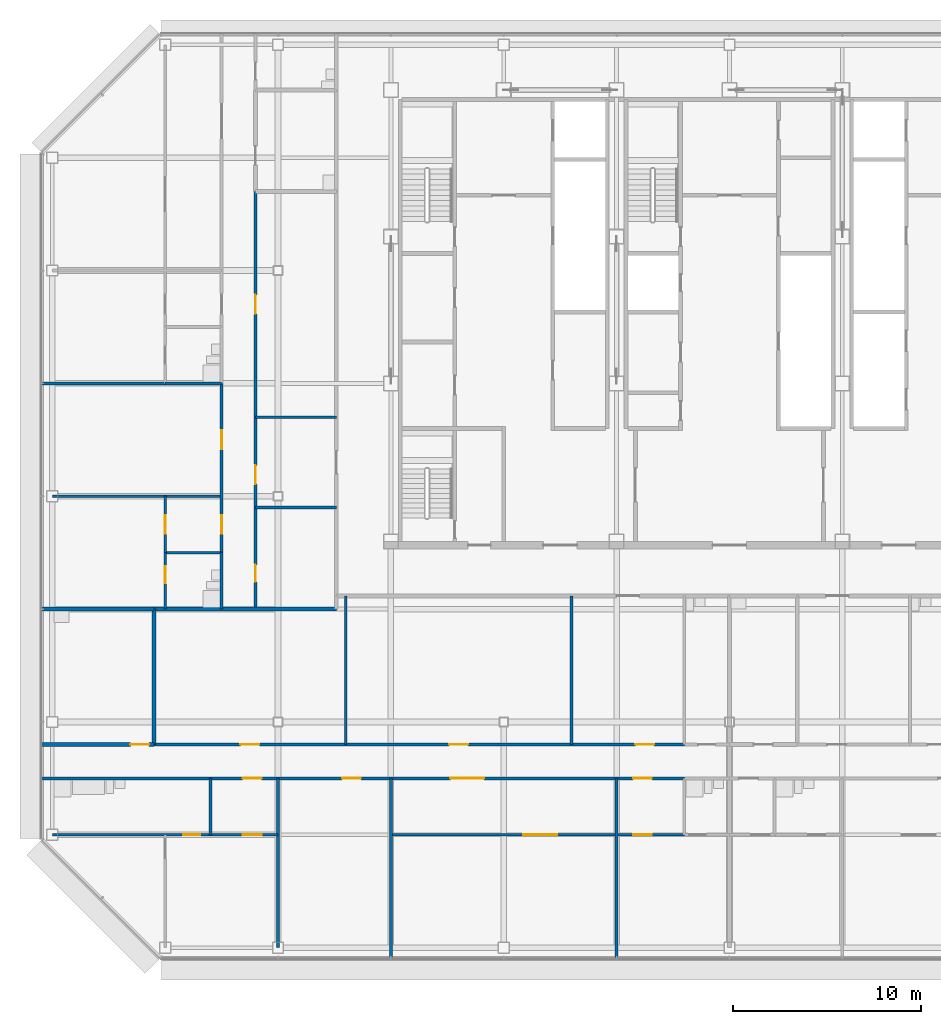
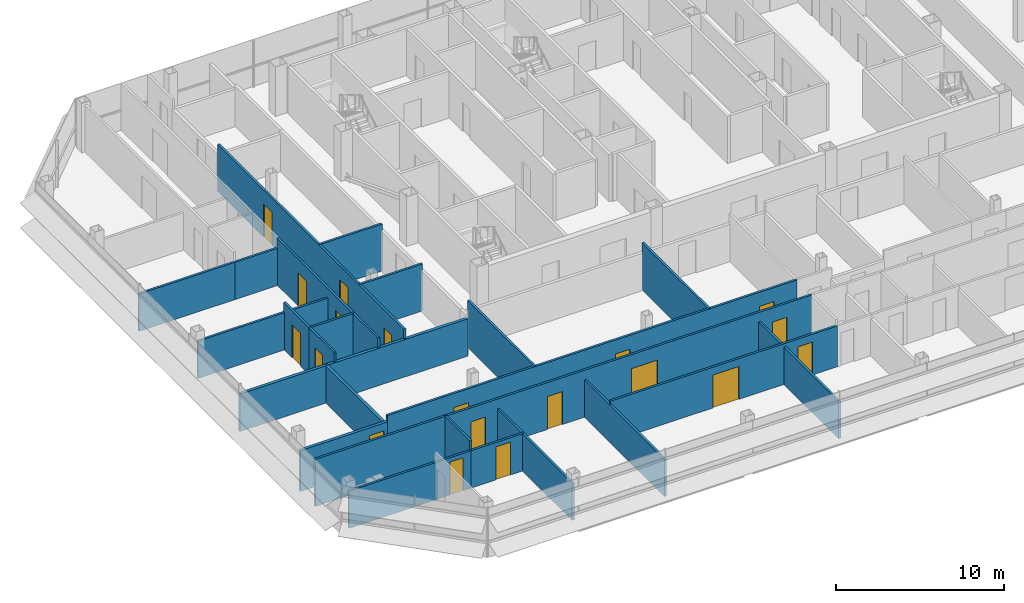
# One storey, part 21 of 28: 27 walls, 19 doors, 19 openings.
"""IFC4 building model written with IfcOpenShell, lengths in metres."""

from ifc_helpers import new_model, si_unit, direction, frame, frame_2d, origin, place, context, subcontext, project, spatial, rectangle, extrude, material, layer, layer_set, type_object, element, fill, save


model = new_model("IFC4")

# Units and contexts
model_context = context("Model", 3, precision=1e-05, world=origin(), true_north=direction((0.0, 1.0)))
body_context = subcontext(model_context, "Body", "Model", "MODEL_VIEW")
ifc_project = project(units=[si_unit("LENGTHUNIT", "METRE"), si_unit("AREAUNIT", "SQUARE_METRE"), si_unit("VOLUMEUNIT", "CUBIC_METRE"), si_unit("PLANEANGLEUNIT", "RADIAN"), si_unit("MASSUNIT", "GRAM", prefix="KILO")], contexts=[model_context])

# Site, building, storey
site_placement = place(None, origin())
site = spatial("IfcSite", under=ifc_project, at=site_placement, CompositionType="ELEMENT")
building_placement = place(site_placement, origin())
building = spatial("IfcBuilding", under=site, at=building_placement, Name="Sorahane Residences", CompositionType="ELEMENT")
storey_placement = place(building_placement, frame((0.0, 0.0, 273.800048828125)))
storey = spatial("IfcBuildingStorey", under=building, at=storey_placement, Name="L65", CompositionType="ELEMENT", Elevation=273.800048828125)

# Wall
ifc_material_1 = material(Name="Concrete blockwork C20 wall", Category="masonry")
ifc_layer_1 = layer(ifc_material_1, 0.199951171875)
ifc_layer_set_1 = layer_set([ifc_layer_1], Name="Kitchen wall 200 EI 180")
wall_type_1 = type_object("IfcWallType", Name="Kitchen wall 200 EI 180", PredefinedType="SOLIDWALL", material=ifc_layer_set_1)
wall_1_placement = place(storey_placement, frame((-6.60009765625, 10.800048828125, 0.0), z_axis=(0.0, 0.0, 1.0), x_axis=(0.0, 1.0, 0.0)))
element("IfcWall", 1, at=wall_1_placement, inside=storey, type_object=wall_type_1, Name="L65 kitchen wall", PredefinedType="SOLIDWALL", context=body_context, shape_type="SweptSolid", body=[
    extrude(rectangle(XDim=7.199951171875, YDim=0.199951171875, at=frame_2d((3.60009765625, 0.0))), origin(), (0.0, 0.0, 1.0), 2.719970703125),
])

# Wall, opening, door
wall_2_placement = place(storey_placement, frame((-12.60009765625, 10.800048828125, 0.0), z_axis=(0.0, 0.0, 1.0), x_axis=(1.0, 0.0, 0.0)))
wall_2 = element("IfcWall", 2, at=wall_2_placement, inside=storey, type_object=wall_type_1, Name="L65 kitchen wall", PredefinedType="SOLIDWALL", context=body_context, shape_type="SweptSolid", body=[
    extrude(rectangle(XDim=6.0, YDim=0.199951171875, at=frame_2d((3.0, 0.0))), origin(), (0.0, 0.0, 1.0), 2.969970703125),
])
opening_1_placement = place(wall_2_placement, frame((4.75, 0.0, 0.0)))
opening_1 = element("IfcOpeningElement", 3, at=opening_1_placement, cuts=wall_2, Name="Opening L65-02", PredefinedType="OPENING", context=body_context, shape_type="SweptSolid", body=[
    extrude(rectangle(XDim=1.0, YDim=2.39990234375, at=frame_2d((0.5, 1.199951171875))), frame((0.0, 0.10986328125, 0.0), z_axis=(0.0, -1.0, 0.0), x_axis=(1.0, 0.0, 0.0)), (0.0, 0.0, 1.0), 0.219970703125),
])
ifc_material_2 = material(Name="Steel", Category="steel")
door_type_1 = type_object("IfcDoorType", Name="Kitchen door 1000x2400 FD120", OperationType="NOTDEFINED", PredefinedType="DOOR", material=ifc_material_2)
door_1_placement = place(opening_1_placement, origin())
door_1 = element("IfcDoor", 4, at=door_1_placement, inside=storey, type_object=door_type_1, Name="Kitchen door L65-02", OperationType="SINGLE_SWING_RIGHT", OverallHeight=2.39990234375, OverallWidth=1.0, PredefinedType="DOOR", context=body_context, shape_type="SweptSolid", body=[
    extrude(rectangle(XDim=1.0, YDim=2.39990234375, at=frame_2d((0.5, 1.199951171875))), frame((0.0, 0.02490234375, 0.0), z_axis=(0.0, -1.0, 0.0), x_axis=(1.0, 0.0, 0.0)), (0.0, 0.0, 1.0), 0.050048828125),
])
fill(opening_1, door_1)

# Wall
wall_3_placement = place(storey_placement, frame((-12.60009765625, 18.0, 0.0), z_axis=(0.0, 0.0, 1.0), x_axis=(1.0, 0.0, 0.0)))
element("IfcWall", 5, at=wall_3_placement, inside=storey, type_object=wall_type_1, Name="L65 kitchen wall", PredefinedType="SOLIDWALL", context=body_context, shape_type="SweptSolid", body=[
    extrude(rectangle(XDim=6.0, YDim=0.199951171875, at=frame_2d((3.0, 0.0))), origin(), (0.0, 0.0, 1.0), 2.719970703125),
])

# Wall, openings, doors
ifc_material_3 = material(Name="Gypsum board partition on steel studs", Category="steel")
ifc_layer_2 = layer(ifc_material_3, 0.14990234375)
ifc_layer_set_2 = layer_set([ifc_layer_2], Name="Partition 150 EI 90")
wall_type_2 = type_object("IfcWallType", Name="Partition 150 EI 90", PredefinedType="PARTITIONING", material=ifc_layer_set_2)
wall_4_placement = place(storey_placement, frame((-1.199951171875, 18.0, 0.0), z_axis=(0.0, 0.0, 1.0), x_axis=(0.0, 1.0, 0.0)))
wall_4 = element("IfcWall", 6, at=wall_4_placement, inside=storey, type_object=wall_type_2, Name="L65 partition", PredefinedType="PARTITIONING", context=body_context, shape_type="SweptSolid", body=[
    extrude(rectangle(XDim=22.199951171875, YDim=0.14990234375, at=frame_2d((11.10009765625, 0.0))), origin(), (0.0, 0.0, 1.0), 3.419921875),
])
opening_2_placement = place(wall_4_placement, frame((6.639892578125, 0.0, 0.0)))
opening_2 = element("IfcOpeningElement", 7, at=opening_2_placement, cuts=wall_4, Name="Opening L65-30", PredefinedType="OPENING", context=body_context, shape_type="SweptSolid", body=[
    extrude(rectangle(XDim=1.0, YDim=2.39990234375, at=frame_2d((0.5, 1.199951171875))), frame((0.0, 0.0849609375, 0.0), z_axis=(0.0, -1.0, 0.0), x_axis=(1.0, 0.0, 0.0)), (0.0, 0.0, 1.0), 0.169921875),
])
opening_3_placement = place(wall_4_placement, frame((1.449951171875, 0.0, 0.0)))
opening_3 = element("IfcOpeningElement", 8, at=opening_3_placement, cuts=wall_4, Name="Opening L65-31", PredefinedType="OPENING", context=body_context, shape_type="SweptSolid", body=[
    extrude(rectangle(XDim=0.89990234375, YDim=2.10009765625, at=frame_2d((0.449951171875, 1.050048828125))), frame((0.0, 0.0849609375, 0.0), z_axis=(0.0, -1.0, 0.0), x_axis=(1.0, 0.0, 0.0)), (0.0, 0.0, 1.0), 0.169921875),
])
opening_4_placement = place(wall_4_placement, frame((15.699951171875, 0.0, 0.0)))
opening_4 = element("IfcOpeningElement", 9, at=opening_4_placement, cuts=wall_4, Name="Opening L65-32", PredefinedType="OPENING", context=body_context, shape_type="SweptSolid", body=[
    extrude(rectangle(XDim=1.0, YDim=2.39990234375, at=frame_2d((0.5, 1.199951171875))), frame((0.0, 0.0849609375, 0.0), z_axis=(0.0, -1.0, 0.0), x_axis=(1.0, 0.0, 0.0)), (0.0, 0.0, 1.0), 0.169921875),
])
ifc_material_4 = material(Name="Timber veneered fire door", Category="wood")
door_type_2 = type_object("IfcDoorType", Name="Room door 1000x2400 FD30", OperationType="NOTDEFINED", PredefinedType="DOOR", material=ifc_material_4)
door_2_placement = place(opening_2_placement, origin())
door_2 = element("IfcDoor", 10, at=door_2_placement, inside=storey, type_object=door_type_2, Name="Room door L65-30", OperationType="SINGLE_SWING_RIGHT", OverallHeight=2.39990234375, OverallWidth=1.0, PredefinedType="DOOR", context=body_context, shape_type="SweptSolid", body=[
    extrude(rectangle(XDim=1.0, YDim=2.39990234375, at=frame_2d((0.5, 1.199951171875))), frame((0.0, 0.02490234375, 0.0), z_axis=(0.0, -1.0, 0.0), x_axis=(1.0, 0.0, 0.0)), (0.0, 0.0, 1.0), 0.050048828125),
])
fill(opening_2, door_2)
door_3_placement = place(opening_4_placement, frame((1.0, 0.0, 0.0), z_axis=(0.0, 0.0, 1.0), x_axis=(-1.0, 0.0, 0.0)))
door_3 = element("IfcDoor", 11, at=door_3_placement, inside=storey, type_object=door_type_2, Name="Room door L65-32", OperationType="SINGLE_SWING_RIGHT", OverallHeight=2.39990234375, OverallWidth=1.0, PredefinedType="DOOR", context=body_context, shape_type="SweptSolid", body=[
    extrude(rectangle(XDim=1.0, YDim=2.39990234375, at=frame_2d((0.5, 1.199951171875))), frame((0.0, 0.02490234375, 0.0), z_axis=(0.0, -1.0, 0.0), x_axis=(1.0, 0.0, 0.0)), (0.0, 0.0, 1.0), 0.050048828125),
])
fill(opening_4, door_3)
ifc_material_5 = material(Name="Timber veneered fire door", Category="wood")
door_type_3 = type_object("IfcDoorType", Name="Service door 900x2100 FD30", OperationType="NOTDEFINED", PredefinedType="DOOR", material=ifc_material_5)
door_4_placement = place(opening_3_placement, frame((0.89990234375, 0.0, 0.0), z_axis=(0.0, 0.0, 1.0), x_axis=(-1.0, 0.0, 0.0)))
door_4 = element("IfcDoor", 12, at=door_4_placement, inside=storey, type_object=door_type_3, Name="Service door L65-31", OperationType="SINGLE_SWING_RIGHT", OverallHeight=2.10009765625, OverallWidth=0.89990234375, PredefinedType="DOOR", context=body_context, shape_type="SweptSolid", body=[
    extrude(rectangle(XDim=0.89990234375, YDim=2.10009765625, at=frame_2d((0.449951171875, 1.050048828125))), frame((0.0, 0.02490234375, 0.0), z_axis=(0.0, -1.0, 0.0), x_axis=(1.0, 0.0, 0.0)), (0.0, 0.0, 1.0), 0.050048828125),
])
fill(opening_3, door_4)

wall_5_placement = place(storey_placement, frame((-3.0, 21.0, 0.0), z_axis=(0.0, 0.0, 1.0), x_axis=(0.0, 1.0, 0.0)))
wall_5 = element("IfcWall", 13, at=wall_5_placement, inside=storey, type_object=wall_type_2, Name="L65 partition", PredefinedType="PARTITIONING", context=body_context, shape_type="SweptSolid", body=[
    extrude(rectangle(XDim=9.0, YDim=0.14990234375, at=frame_2d((4.5, 0.0))), origin(), (0.0, 0.0, 1.0), 3.419921875),
])
opening_5_placement = place(wall_5_placement, frame((1.0, 0.0, 0.0)))
opening_5 = element("IfcOpeningElement", 14, at=opening_5_placement, cuts=wall_5, Name="Opening L65-35", PredefinedType="OPENING", context=body_context, shape_type="SweptSolid", body=[
    extrude(rectangle(XDim=1.0, YDim=2.39990234375, at=frame_2d((0.5, 1.199951171875))), frame((0.0, 0.0849609375, 0.0), z_axis=(0.0, -1.0, 0.0), x_axis=(1.0, 0.0, 0.0)), (0.0, 0.0, 1.0), 0.169921875),
])
opening_6_placement = place(wall_5_placement, frame((5.5, 0.0, 0.0)))
opening_6 = element("IfcOpeningElement", 15, at=opening_6_placement, cuts=wall_5, Name="Opening L65-36", PredefinedType="OPENING", context=body_context, shape_type="SweptSolid", body=[
    extrude(rectangle(XDim=1.0, YDim=2.39990234375, at=frame_2d((0.5, 1.199951171875))), frame((0.0, 0.0849609375, 0.0), z_axis=(0.0, -1.0, 0.0), x_axis=(1.0, 0.0, 0.0)), (0.0, 0.0, 1.0), 0.169921875),
])
door_5_placement = place(opening_5_placement, origin())
door_5 = element("IfcDoor", 16, at=door_5_placement, inside=storey, type_object=door_type_2, Name="Room door L65-35", OperationType="SINGLE_SWING_LEFT", OverallHeight=2.39990234375, OverallWidth=1.0, PredefinedType="DOOR", context=body_context, shape_type="SweptSolid", body=[
    extrude(rectangle(XDim=1.0, YDim=2.39990234375, at=frame_2d((0.5, 1.199951171875))), frame((0.0, 0.02490234375, 0.0), z_axis=(0.0, -1.0, 0.0), x_axis=(1.0, 0.0, 0.0)), (0.0, 0.0, 1.0), 0.050048828125),
])
fill(opening_5, door_5)
door_6_placement = place(opening_6_placement, origin())
door_6 = element("IfcDoor", 17, at=door_6_placement, inside=storey, type_object=door_type_2, Name="Room door L65-36", OperationType="SINGLE_SWING_LEFT", OverallHeight=2.39990234375, OverallWidth=1.0, PredefinedType="DOOR", context=body_context, shape_type="SweptSolid", body=[
    extrude(rectangle(XDim=1.0, YDim=2.39990234375, at=frame_2d((0.5, 1.199951171875))), frame((0.0, 0.02490234375, 0.0), z_axis=(0.0, -1.0, 0.0), x_axis=(1.0, 0.0, 0.0)), (0.0, 0.0, 1.0), 0.050048828125),
])
fill(opening_6, door_6)

# Wall, opening, door
wall_6_placement = place(storey_placement, frame((-6.0, 21.0, 0.0), z_axis=(0.0, 0.0, 1.0), x_axis=(0.0, 1.0, 0.0)))
wall_6 = element("IfcWall", 18, at=wall_6_placement, inside=storey, type_object=wall_type_2, Name="L65 partition", PredefinedType="PARTITIONING", context=body_context, shape_type="SweptSolid", body=[
    extrude(rectangle(XDim=3.0, YDim=0.14990234375, at=frame_2d((1.5, 0.0))), origin(), (0.0, 0.0, 1.0), 3.419921875),
])
opening_7_placement = place(wall_6_placement, frame((1.0, 0.0, 0.0)))
opening_7 = element("IfcOpeningElement", 19, at=opening_7_placement, cuts=wall_6, Name="Opening L65-39", PredefinedType="OPENING", context=body_context, shape_type="SweptSolid", body=[
    extrude(rectangle(XDim=1.0, YDim=2.39990234375, at=frame_2d((0.5, 1.199951171875))), frame((0.0, 0.0849609375, 0.0), z_axis=(0.0, -1.0, 0.0), x_axis=(1.0, 0.0, 0.0)), (0.0, 0.0, 1.0), 0.169921875),
])
door_7_placement = place(opening_7_placement, origin())
door_7 = element("IfcDoor", 20, at=door_7_placement, inside=storey, type_object=door_type_2, Name="Room door L65-39", OperationType="SINGLE_SWING_LEFT", OverallHeight=2.39990234375, OverallWidth=1.0, PredefinedType="DOOR", context=body_context, shape_type="SweptSolid", body=[
    extrude(rectangle(XDim=1.0, YDim=2.39990234375, at=frame_2d((0.5, 1.199951171875))), frame((0.0, 0.02490234375, 0.0), z_axis=(0.0, -1.0, 0.0), x_axis=(1.0, 0.0, 0.0)), (0.0, 0.0, 1.0), 0.050048828125),
])
fill(opening_7, door_7)

# Walls
wall_7_placement = place(storey_placement, frame((0.0, 0.0, 0.0), z_axis=(0.0, 0.0, 1.0), x_axis=(0.0, 1.0, 0.0)))
element("IfcWall", 21, at=wall_7_placement, inside=storey, type_object=wall_type_2, Name="L65 partition", PredefinedType="PARTITIONING", context=body_context, shape_type="SweptSolid", body=[
    extrude(rectangle(XDim=9.0, YDim=0.14990234375, at=frame_2d((4.5, 0.0))), origin(), (0.0, 0.0, 1.0), 2.719970703125),
])
wall_8_placement = place(storey_placement, frame((15.60009765625, 10.800048828125, 0.0), z_axis=(0.0, 0.0, 1.0), x_axis=(0.0, 1.0, 0.0)))
element("IfcWall", 22, at=wall_8_placement, inside=storey, type_object=wall_type_2, Name="L65 partition", PredefinedType="PARTITIONING", context=body_context, shape_type="SweptSolid", body=[
    extrude(rectangle(XDim=7.89990234375, YDim=0.14990234375, at=frame_2d((3.949951171875, 0.0))), origin(), (0.0, 0.0, 1.0), 3.419921875),
])
wall_9_placement = place(storey_placement, frame((18.0, -0.60009765625, 0.0), z_axis=(0.0, 0.0, 1.0), x_axis=(0.0, 1.0, 0.0)))
element("IfcWall", 23, at=wall_9_placement, inside=storey, type_object=wall_type_2, Name="L65 partition", PredefinedType="PARTITIONING", context=body_context, shape_type="SweptSolid", body=[
    extrude(rectangle(XDim=9.60009765625, YDim=0.14990234375, at=frame_2d((4.800048828125, 0.0))), origin(), (0.0, 0.0, 1.0), 2.719970703125),
])
wall_10_placement = place(storey_placement, frame((3.60009765625, 10.800048828125, 0.0), z_axis=(0.0, 0.0, 1.0), x_axis=(0.0, 1.0, 0.0)))
element("IfcWall", 24, at=wall_10_placement, inside=storey, type_object=wall_type_2, Name="L65 partition", PredefinedType="PARTITIONING", context=body_context, shape_type="SweptSolid", body=[
    extrude(rectangle(XDim=7.89990234375, YDim=0.14990234375, at=frame_2d((3.949951171875, 0.0))), origin(), (0.0, 0.0, 1.0), 3.419921875),
])
wall_11_placement = place(storey_placement, frame((6.0, -0.60009765625, 0.0), z_axis=(0.0, 0.0, 1.0), x_axis=(0.0, 1.0, 0.0)))
element("IfcWall", 25, at=wall_11_placement, inside=storey, type_object=wall_type_2, Name="L65 partition", PredefinedType="PARTITIONING", context=body_context, shape_type="SweptSolid", body=[
    extrude(rectangle(XDim=9.60009765625, YDim=0.14990234375, at=frame_2d((4.800048828125, 0.0))), origin(), (0.0, 0.0, 1.0), 2.719970703125),
])

# Wall, openings, doors
wall_12_placement = place(storey_placement, frame((-6.60009765625, 10.800048828125, 0.0), z_axis=(0.0, 0.0, 1.0), x_axis=(1.0, 0.0, 0.0)))
wall_12 = element("IfcWall", 26, at=wall_12_placement, inside=storey, type_object=wall_type_2, Name="L65 partition", PredefinedType="PARTITIONING", context=body_context, shape_type="SweptSolid", body=[
    extrude(rectangle(XDim=28.2001953125, YDim=0.14990234375, at=frame_2d((14.10009765625, 0.0))), origin(), (0.0, 0.0, 1.0), 3.419921875),
])
opening_8_placement = place(wall_12_placement, frame((25.60009765625, 0.0, 0.0)))
opening_8 = element("IfcOpeningElement", 27, at=opening_8_placement, cuts=wall_12, Name="Opening L65-01", PredefinedType="OPENING", context=body_context, shape_type="SweptSolid", body=[
    extrude(rectangle(XDim=1.0, YDim=2.39990234375, at=frame_2d((0.5, 1.199951171875))), frame((0.0, 0.0849609375, 0.0), z_axis=(0.0, -1.0, 0.0), x_axis=(1.0, 0.0, 0.0)), (0.0, 0.0, 1.0), 0.169921875),
])
opening_9_placement = place(wall_12_placement, frame((4.60009765625, 0.0, 0.0)))
opening_9 = element("IfcOpeningElement", 28, at=opening_9_placement, cuts=wall_12, Name="Opening L65-03", PredefinedType="OPENING", context=body_context, shape_type="SweptSolid", body=[
    extrude(rectangle(XDim=1.0, YDim=2.39990234375, at=frame_2d((0.5, 1.199951171875))), frame((0.0, 0.0849609375, 0.0), z_axis=(0.0, -1.0, 0.0), x_axis=(1.0, 0.0, 0.0)), (0.0, 0.0, 1.0), 0.169921875),
])
opening_10_placement = place(wall_12_placement, frame((15.699951171875, 0.0, 0.0)))
opening_10 = element("IfcOpeningElement", 29, at=opening_10_placement, cuts=wall_12, Name="Opening L65-04", PredefinedType="OPENING", context=body_context, shape_type="SweptSolid", body=[
    extrude(rectangle(XDim=1.0, YDim=2.39990234375, at=frame_2d((0.5, 1.199951171875))), frame((0.0, 0.0849609375, 0.0), z_axis=(0.0, -1.0, 0.0), x_axis=(1.0, 0.0, 0.0)), (0.0, 0.0, 1.0), 0.169921875),
])
door_8_placement = place(opening_8_placement, frame((1.0, 0.0, 0.0), z_axis=(0.0, 0.0, 1.0), x_axis=(-1.0, 0.0, 0.0)))
door_8 = element("IfcDoor", 30, at=door_8_placement, inside=storey, type_object=door_type_2, Name="Room door L65-01", OperationType="SINGLE_SWING_LEFT", OverallHeight=2.39990234375, OverallWidth=1.0, PredefinedType="DOOR", context=body_context, shape_type="SweptSolid", body=[
    extrude(rectangle(XDim=1.0, YDim=2.39990234375, at=frame_2d((0.5, 1.199951171875))), frame((0.0, 0.02490234375, 0.0), z_axis=(0.0, -1.0, 0.0), x_axis=(1.0, 0.0, 0.0)), (0.0, 0.0, 1.0), 0.050048828125),
])
fill(opening_8, door_8)
door_9_placement = place(opening_9_placement, origin())
door_9 = element("IfcDoor", 31, at=door_9_placement, inside=storey, type_object=door_type_2, Name="Room door L65-03", OperationType="SINGLE_SWING_LEFT", OverallHeight=2.39990234375, OverallWidth=1.0, PredefinedType="DOOR", context=body_context, shape_type="SweptSolid", body=[
    extrude(rectangle(XDim=1.0, YDim=2.39990234375, at=frame_2d((0.5, 1.199951171875))), frame((0.0, 0.02490234375, 0.0), z_axis=(0.0, -1.0, 0.0), x_axis=(1.0, 0.0, 0.0)), (0.0, 0.0, 1.0), 0.050048828125),
])
fill(opening_9, door_9)
door_10_placement = place(opening_10_placement, origin())
door_10 = element("IfcDoor", 32, at=door_10_placement, inside=storey, type_object=door_type_2, Name="Room door L65-04", OperationType="SINGLE_SWING_RIGHT", OverallHeight=2.39990234375, OverallWidth=1.0, PredefinedType="DOOR", context=body_context, shape_type="SweptSolid", body=[
    extrude(rectangle(XDim=1.0, YDim=2.39990234375, at=frame_2d((0.5, 1.199951171875))), frame((0.0, 0.02490234375, 0.0), z_axis=(0.0, -1.0, 0.0), x_axis=(1.0, 0.0, 0.0)), (0.0, 0.0, 1.0), 0.050048828125),
])
fill(opening_10, door_10)

# Walls
wall_13_placement = place(storey_placement, frame((-1.199951171875, 23.39990234375, 0.0), z_axis=(0.0, 0.0, 1.0), x_axis=(1.0, 0.0, 0.0)))
element("IfcWall", 33, at=wall_13_placement, inside=storey, type_object=wall_type_2, Name="L65 partition", PredefinedType="PARTITIONING", context=body_context, shape_type="SweptSolid", body=[
    extrude(rectangle(XDim=4.300048828125, YDim=0.14990234375, at=frame_2d((2.14990234375, 0.0))), origin(), (0.0, 0.0, 1.0), 3.419921875),
])
wall_14_placement = place(storey_placement, frame((-12.0, 24.0, 0.0), z_axis=(0.0, 0.0, 1.0), x_axis=(1.0, 0.0, 0.0)))
element("IfcWall", 34, at=wall_14_placement, inside=storey, type_object=wall_type_2, Name="L65 partition", PredefinedType="PARTITIONING", context=body_context, shape_type="SweptSolid", body=[
    extrude(rectangle(XDim=9.0, YDim=0.14990234375, at=frame_2d((4.5, 0.0))), origin(), (0.0, 0.0, 1.0), 2.719970703125),
])
wall_15_placement = place(storey_placement, frame((-1.199951171875, 28.199951171875, 0.0), z_axis=(0.0, 0.0, 1.0), x_axis=(1.0, 0.0, 0.0)))
element("IfcWall", 35, at=wall_15_placement, inside=storey, type_object=wall_type_2, Name="L65 partition", PredefinedType="PARTITIONING", context=body_context, shape_type="SweptSolid", body=[
    extrude(rectangle(XDim=4.300048828125, YDim=0.14990234375, at=frame_2d((2.14990234375, 0.0))), origin(), (0.0, 0.0, 1.0), 3.419921875),
])
wall_16_placement = place(storey_placement, frame((-12.60009765625, 30.0, 0.0), z_axis=(0.0, 0.0, 1.0), x_axis=(1.0, 0.0, 0.0)))
element("IfcWall", 36, at=wall_16_placement, inside=storey, type_object=wall_type_2, Name="L65 partition", PredefinedType="PARTITIONING", context=body_context, shape_type="SweptSolid", body=[
    extrude(rectangle(XDim=6.60009765625, YDim=0.14990234375, at=frame_2d((3.300048828125, 0.0))), origin(), (0.0, 0.0, 1.0), 2.719970703125),
])

# Wall, opening, door
wall_17_placement = place(storey_placement, frame((-3.60009765625, 6.0, 0.0), z_axis=(0.0, 0.0, 1.0), x_axis=(1.0, 0.0, 0.0)))
wall_17 = element("IfcWall", 37, at=wall_17_placement, inside=storey, type_object=wall_type_2, Name="L65 partition", PredefinedType="PARTITIONING", context=body_context, shape_type="SweptSolid", body=[
    extrude(rectangle(XDim=3.60009765625, YDim=0.14990234375, at=frame_2d((1.800048828125, 0.0))), origin(), (0.0, 0.0, 1.0), 2.719970703125),
])
opening_11_placement = place(wall_17_placement, frame((1.719970703125, 0.0, 0.0)))
opening_11 = element("IfcOpeningElement", 38, at=opening_11_placement, cuts=wall_17, Name="Opening L65-10", PredefinedType="OPENING", context=body_context, shape_type="SweptSolid", body=[
    extrude(rectangle(XDim=1.0, YDim=2.39990234375, at=frame_2d((0.5, 1.199951171875))), frame((0.0, 0.0849609375, 0.0), z_axis=(0.0, -1.0, 0.0), x_axis=(1.0, 0.0, 0.0)), (0.0, 0.0, 1.0), 0.169921875),
])
door_11_placement = place(opening_11_placement, frame((1.0, 0.0, 0.0), z_axis=(0.0, 0.0, 1.0), x_axis=(-1.0, 0.0, 0.0)))
door_11 = element("IfcDoor", 39, at=door_11_placement, inside=storey, type_object=door_type_2, Name="Room door L65-10", OperationType="SINGLE_SWING_RIGHT", OverallHeight=2.39990234375, OverallWidth=1.0, PredefinedType="DOOR", context=body_context, shape_type="SweptSolid", body=[
    extrude(rectangle(XDim=1.0, YDim=2.39990234375, at=frame_2d((0.5, 1.199951171875))), frame((0.0, 0.02490234375, 0.0), z_axis=(0.0, -1.0, 0.0), x_axis=(1.0, 0.0, 0.0)), (0.0, 0.0, 1.0), 0.050048828125),
])
fill(opening_11, door_11)

# Wall, openings, doors
wall_18_placement = place(storey_placement, frame((6.0, 6.0, 0.0), z_axis=(0.0, 0.0, 1.0), x_axis=(1.0, 0.0, 0.0)))
wall_18 = element("IfcWall", 40, at=wall_18_placement, inside=storey, type_object=wall_type_2, Name="L65 partition", PredefinedType="PARTITIONING", context=body_context, shape_type="SweptSolid", body=[
    extrude(rectangle(XDim=15.60009765625, YDim=0.14990234375, at=frame_2d((7.800048828125, 0.0))), origin(), (0.0, 0.0, 1.0), 2.969970703125),
])
opening_12_placement = place(wall_18_placement, frame((7.0400390625, 0.0, 0.0)))
opening_12 = element("IfcOpeningElement", 41, at=opening_12_placement, cuts=wall_18, Name="Opening L65-13", PredefinedType="OPENING", context=body_context, shape_type="SweptSolid", body=[
    extrude(rectangle(XDim=1.800048828125, YDim=2.39990234375, at=frame_2d((0.89990234375, 1.199951171875))), frame((0.0, 0.0849609375, 0.0), z_axis=(0.0, -1.0, 0.0), x_axis=(1.0, 0.0, 0.0)), (0.0, 0.0, 1.0), 0.169921875),
])
opening_13_placement = place(wall_18_placement, frame((12.8798828125, 0.0, 0.0)))
opening_13 = element("IfcOpeningElement", 42, at=opening_13_placement, cuts=wall_18, Name="Opening L65-14", PredefinedType="OPENING", context=body_context, shape_type="SweptSolid", body=[
    extrude(rectangle(XDim=1.0, YDim=2.39990234375, at=frame_2d((0.5, 1.199951171875))), frame((0.0, 0.0849609375, 0.0), z_axis=(0.0, -1.0, 0.0), x_axis=(1.0, 0.0, 0.0)), (0.0, 0.0, 1.0), 0.169921875),
])
ifc_material_6 = material(Name="Timber veneered fire door", Category="wood")
door_type_4 = type_object("IfcDoorType", Name="Double door 1800x2400 FD30", OperationType="NOTDEFINED", PredefinedType="DOOR", material=ifc_material_6)
door_12_placement = place(opening_12_placement, frame((1.800048828125, 0.0, 0.0), z_axis=(0.0, 0.0, 1.0), x_axis=(-1.0, 0.0, 0.0)))
door_12 = element("IfcDoor", 43, at=door_12_placement, inside=storey, type_object=door_type_4, Name="Double door L65-13", OperationType="SINGLE_SWING_RIGHT", OverallHeight=2.39990234375, OverallWidth=1.800048828125, PredefinedType="DOOR", context=body_context, shape_type="SweptSolid", body=[
    extrude(rectangle(XDim=1.800048828125, YDim=2.39990234375, at=frame_2d((0.89990234375, 1.199951171875))), frame((0.0, 0.02490234375, 0.0), z_axis=(0.0, -1.0, 0.0), x_axis=(1.0, 0.0, 0.0)), (0.0, 0.0, 1.0), 0.050048828125),
])
fill(opening_12, door_12)
door_13_placement = place(opening_13_placement, frame((1.0, 0.0, 0.0), z_axis=(0.0, 0.0, 1.0), x_axis=(-1.0, 0.0, 0.0)))
door_13 = element("IfcDoor", 44, at=door_13_placement, inside=storey, type_object=door_type_2, Name="Room door L65-14", OperationType="SINGLE_SWING_RIGHT", OverallHeight=2.39990234375, OverallWidth=1.0, PredefinedType="DOOR", context=body_context, shape_type="SweptSolid", body=[
    extrude(rectangle(XDim=1.0, YDim=2.39990234375, at=frame_2d((0.5, 1.199951171875))), frame((0.0, 0.02490234375, 0.0), z_axis=(0.0, -1.0, 0.0), x_axis=(1.0, 0.0, 0.0)), (0.0, 0.0, 1.0), 0.050048828125),
])
fill(opening_13, door_13)

wall_19_placement = place(storey_placement, frame((-3.60009765625, 9.0, 0.0), z_axis=(0.0, 0.0, 1.0), x_axis=(1.0, 0.0, 0.0)))
wall_19 = element("IfcWall", 45, at=wall_19_placement, inside=storey, type_object=wall_type_2, Name="L65 partition", PredefinedType="PARTITIONING", context=body_context, shape_type="SweptSolid", body=[
    extrude(rectangle(XDim=25.2001953125, YDim=0.14990234375, at=frame_2d((12.60009765625, 0.0))), origin(), (0.0, 0.0, 1.0), 3.419921875),
])
opening_14_placement = place(wall_19_placement, frame((1.719970703125, 0.0, 0.0)))
opening_14 = element("IfcOpeningElement", 46, at=opening_14_placement, cuts=wall_19, Name="Opening L65-06", PredefinedType="OPENING", context=body_context, shape_type="SweptSolid", body=[
    extrude(rectangle(XDim=1.0, YDim=2.39990234375, at=frame_2d((0.5, 1.199951171875))), frame((0.0, 0.0849609375, 0.0), z_axis=(0.0, -1.0, 0.0), x_axis=(1.0, 0.0, 0.0)), (0.0, 0.0, 1.0), 0.169921875),
])
opening_15_placement = place(wall_19_placement, frame((7.0, 0.0, 0.0)))
opening_15 = element("IfcOpeningElement", 47, at=opening_15_placement, cuts=wall_19, Name="Opening L65-07", PredefinedType="OPENING", context=body_context, shape_type="SweptSolid", body=[
    extrude(rectangle(XDim=1.0, YDim=2.39990234375, at=frame_2d((0.5, 1.199951171875))), frame((0.0, 0.0849609375, 0.0), z_axis=(0.0, -1.0, 0.0), x_axis=(1.0, 0.0, 0.0)), (0.0, 0.0, 1.0), 0.169921875),
])
opening_16_placement = place(wall_19_placement, frame((12.760009765625, 0.0, 0.0)))
opening_16 = element("IfcOpeningElement", 48, at=opening_16_placement, cuts=wall_19, Name="Opening L65-08", PredefinedType="OPENING", context=body_context, shape_type="SweptSolid", body=[
    extrude(rectangle(XDim=1.800048828125, YDim=2.39990234375, at=frame_2d((0.89990234375, 1.199951171875))), frame((0.0, 0.0849609375, 0.0), z_axis=(0.0, -1.0, 0.0), x_axis=(1.0, 0.0, 0.0)), (0.0, 0.0, 1.0), 0.169921875),
])
opening_17_placement = place(wall_19_placement, frame((22.47998046875, 0.0, 0.0)))
opening_17 = element("IfcOpeningElement", 49, at=opening_17_placement, cuts=wall_19, Name="Opening L65-09", PredefinedType="OPENING", context=body_context, shape_type="SweptSolid", body=[
    extrude(rectangle(XDim=1.0, YDim=2.39990234375, at=frame_2d((0.5, 1.199951171875))), frame((0.0, 0.0849609375, 0.0), z_axis=(0.0, -1.0, 0.0), x_axis=(1.0, 0.0, 0.0)), (0.0, 0.0, 1.0), 0.169921875),
])
door_14_placement = place(opening_16_placement, frame((1.800048828125, 0.0, 0.0), z_axis=(0.0, 0.0, 1.0), x_axis=(-1.0, 0.0, 0.0)))
door_14 = element("IfcDoor", 50, at=door_14_placement, inside=storey, type_object=door_type_4, Name="Double door L65-08", OperationType="SINGLE_SWING_LEFT", OverallHeight=2.39990234375, OverallWidth=1.800048828125, PredefinedType="DOOR", context=body_context, shape_type="SweptSolid", body=[
    extrude(rectangle(XDim=1.800048828125, YDim=2.39990234375, at=frame_2d((0.89990234375, 1.199951171875))), frame((0.0, 0.02490234375, 0.0), z_axis=(0.0, -1.0, 0.0), x_axis=(1.0, 0.0, 0.0)), (0.0, 0.0, 1.0), 0.050048828125),
])
fill(opening_16, door_14)
door_15_placement = place(opening_14_placement, frame((1.0, 0.0, 0.0), z_axis=(0.0, 0.0, 1.0), x_axis=(-1.0, 0.0, 0.0)))
door_15 = element("IfcDoor", 51, at=door_15_placement, inside=storey, type_object=door_type_2, Name="Room door L65-06", OperationType="SINGLE_SWING_LEFT", OverallHeight=2.39990234375, OverallWidth=1.0, PredefinedType="DOOR", context=body_context, shape_type="SweptSolid", body=[
    extrude(rectangle(XDim=1.0, YDim=2.39990234375, at=frame_2d((0.5, 1.199951171875))), frame((0.0, 0.02490234375, 0.0), z_axis=(0.0, -1.0, 0.0), x_axis=(1.0, 0.0, 0.0)), (0.0, 0.0, 1.0), 0.050048828125),
])
fill(opening_14, door_15)
door_16_placement = place(opening_15_placement, frame((1.0, 0.0, 0.0), z_axis=(0.0, 0.0, 1.0), x_axis=(-1.0, 0.0, 0.0)))
door_16 = element("IfcDoor", 52, at=door_16_placement, inside=storey, type_object=door_type_2, Name="Room door L65-07", OperationType="SINGLE_SWING_LEFT", OverallHeight=2.39990234375, OverallWidth=1.0, PredefinedType="DOOR", context=body_context, shape_type="SweptSolid", body=[
    extrude(rectangle(XDim=1.0, YDim=2.39990234375, at=frame_2d((0.5, 1.199951171875))), frame((0.0, 0.02490234375, 0.0), z_axis=(0.0, -1.0, 0.0), x_axis=(1.0, 0.0, 0.0)), (0.0, 0.0, 1.0), 0.050048828125),
])
fill(opening_15, door_16)
door_17_placement = place(opening_17_placement, frame((1.0, 0.0, 0.0), z_axis=(0.0, 0.0, 1.0), x_axis=(-1.0, 0.0, 0.0)))
door_17 = element("IfcDoor", 53, at=door_17_placement, inside=storey, type_object=door_type_2, Name="Room door L65-09", OperationType="SINGLE_SWING_LEFT", OverallHeight=2.39990234375, OverallWidth=1.0, PredefinedType="DOOR", context=body_context, shape_type="SweptSolid", body=[
    extrude(rectangle(XDim=1.0, YDim=2.39990234375, at=frame_2d((0.5, 1.199951171875))), frame((0.0, 0.02490234375, 0.0), z_axis=(0.0, -1.0, 0.0), x_axis=(1.0, 0.0, 0.0)), (0.0, 0.0, 1.0), 0.050048828125),
])
fill(opening_17, door_17)

# Walls
ifc_material_7 = material(Name="Concrete blockwork C20 wall", Category="masonry")
ifc_layer_3 = layer(ifc_material_7, 0.199951171875)
ifc_layer_set_3 = layer_set([ifc_layer_3], Name="Party wall 200 EI 120")
wall_type_3 = type_object("IfcWallType", Name="Party wall 200 EI 120", PredefinedType="SOLIDWALL", material=ifc_layer_set_3)
wall_20_placement = place(storey_placement, frame((-6.60009765625, 18.0, 0.0), z_axis=(0.0, 0.0, 1.0), x_axis=(1.0, 0.0, 0.0)))
element("IfcWall", 54, at=wall_20_placement, inside=storey, type_object=wall_type_3, Name="L65 party wall", PredefinedType="SOLIDWALL", context=body_context, shape_type="SweptSolid", body=[
    extrude(rectangle(XDim=9.7001953125, YDim=0.199951171875, at=frame_2d((4.85009765625, 0.0))), origin(), (0.0, 0.0, 1.0), 2.719970703125),
])
ifc_material_8 = material(Name="Gypsum board partition on steel studs", Category="steel")
ifc_layer_4 = layer(ifc_material_8, 0.14990234375)
ifc_layer_set_4 = layer_set([ifc_layer_4], Name="Wet wall 150 EI 90")
wall_type_4 = type_object("IfcWallType", Name="Wet wall 150 EI 90", PredefinedType="PARTITIONING", material=ifc_layer_set_4)
for number, where, z_axis, x_axis, name in (
    (55, (-3.0, 18.0, 0.0), (0.0, 0.0, 1.0), (0.0, 1.0, 0.0), "L65 wet wall"),
    (56, (-3.60009765625, 6.0, 0.0), (0.0, 0.0, 1.0), (0.0, 1.0, 0.0), "L65 wet wall"),
):
    element("IfcWall", number, at=place(storey_placement, frame(where, z_axis=z_axis, x_axis=x_axis)), inside=storey, type_object=wall_type_4, Name=name, PredefinedType="PARTITIONING", context=body_context, shape_type="SweptSolid", body=[
        extrude(rectangle(XDim=3.0, YDim=0.14990234375, at=frame_2d((1.5, 0.0))), origin(), (0.0, 0.0, 1.0), 3.419921875),
    ])

# Wall, opening, door
wall_21_placement = place(storey_placement, frame((-6.0, 18.0, 0.0), z_axis=(0.0, 0.0, 1.0), x_axis=(0.0, 1.0, 0.0)))
wall_21 = element("IfcWall", 57, at=wall_21_placement, inside=storey, type_object=wall_type_4, Name="L65 wet wall", PredefinedType="PARTITIONING", context=body_context, shape_type="SweptSolid", body=[
    extrude(rectangle(XDim=3.0, YDim=0.14990234375, at=frame_2d((1.5, 0.0))), origin(), (0.0, 0.0, 1.0), 3.419921875),
])
opening_18_placement = place(wall_21_placement, frame((1.3701171875, 0.0, 0.0)))
opening_18 = element("IfcOpeningElement", 58, at=opening_18_placement, cuts=wall_21, Name="Opening L65-40", PredefinedType="OPENING", context=body_context, shape_type="SweptSolid", body=[
    extrude(rectangle(XDim=0.89990234375, YDim=2.39990234375, at=frame_2d((0.449951171875, 1.199951171875))), frame((0.0, 0.0849609375, 0.0), z_axis=(0.0, -1.0, 0.0), x_axis=(1.0, 0.0, 0.0)), (0.0, 0.0, 1.0), 0.169921875),
])
ifc_material_9 = material(Name="Timber veneered fire door", Category="wood")
door_type_5 = type_object("IfcDoorType", Name="Bathroom door 900x2400 FD30", OperationType="NOTDEFINED", PredefinedType="DOOR", material=ifc_material_9)
door_18_placement = place(opening_18_placement, origin())
door_18 = element("IfcDoor", 59, at=door_18_placement, inside=storey, type_object=door_type_5, Name="Bathroom door L65-40", OperationType="SINGLE_SWING_RIGHT", OverallHeight=2.39990234375, OverallWidth=0.89990234375, PredefinedType="DOOR", context=body_context, shape_type="SweptSolid", body=[
    extrude(rectangle(XDim=0.89990234375, YDim=2.39990234375, at=frame_2d((0.449951171875, 1.199951171875))), frame((0.0, 0.02490234375, 0.0), z_axis=(0.0, -1.0, 0.0), x_axis=(1.0, 0.0, 0.0)), (0.0, 0.0, 1.0), 0.050048828125),
])
fill(opening_18, door_18)

# Walls
wall_22_placement = place(storey_placement, frame((-6.0, 21.0, 0.0), z_axis=(0.0, 0.0, 1.0), x_axis=(1.0, 0.0, 0.0)))
element("IfcWall", 60, at=wall_22_placement, inside=storey, type_object=wall_type_4, Name="L65 wet wall", PredefinedType="PARTITIONING", context=body_context, shape_type="SweptSolid", body=[
    extrude(rectangle(XDim=3.0, YDim=0.14990234375, at=frame_2d((1.5, 0.0))), origin(), (0.0, 0.0, 1.0), 3.419921875),
])
wall_23_placement = place(storey_placement, frame((-6.0, 30.0, 0.0), z_axis=(0.0, 0.0, 1.0), x_axis=(1.0, 0.0, 0.0)))
element("IfcWall", 61, at=wall_23_placement, inside=storey, type_object=wall_type_4, Name="L65 wet wall", PredefinedType="PARTITIONING", context=body_context, shape_type="SweptSolid", body=[
    extrude(rectangle(XDim=3.0, YDim=0.14990234375, at=frame_2d((1.5, 0.0))), origin(), (0.0, 0.0, 1.0), 2.719970703125),
])

# Wall, opening, door
wall_24_placement = place(storey_placement, frame((-12.0, 6.0, 0.0), z_axis=(0.0, 0.0, 1.0), x_axis=(1.0, 0.0, 0.0)))
wall_24 = element("IfcWall", 62, at=wall_24_placement, inside=storey, type_object=wall_type_4, Name="L65 wet wall", PredefinedType="PARTITIONING", context=body_context, shape_type="SweptSolid", body=[
    extrude(rectangle(XDim=8.39990234375, YDim=0.14990234375, at=frame_2d((4.199951171875, 0.0))), origin(), (0.0, 0.0, 1.0), 2.719970703125),
])
opening_19_placement = place(wall_24_placement, frame((6.949951171875, 0.0, 0.0)))
opening_19 = element("IfcOpeningElement", 63, at=opening_19_placement, cuts=wall_24, Name="Opening L65-12", PredefinedType="OPENING", context=body_context, shape_type="SweptSolid", body=[
    extrude(rectangle(XDim=0.89990234375, YDim=2.39990234375, at=frame_2d((0.449951171875, 1.199951171875))), frame((0.0, 0.0849609375, 0.0), z_axis=(0.0, -1.0, 0.0), x_axis=(1.0, 0.0, 0.0)), (0.0, 0.0, 1.0), 0.169921875),
])
door_19_placement = place(opening_19_placement, frame((0.89990234375, 0.0, 0.0), z_axis=(0.0, 0.0, 1.0), x_axis=(-1.0, 0.0, 0.0)))
door_19 = element("IfcDoor", 64, at=door_19_placement, inside=storey, type_object=door_type_5, Name="Bathroom door L65-12", OperationType="SINGLE_SWING_RIGHT", OverallHeight=2.39990234375, OverallWidth=0.89990234375, PredefinedType="DOOR", context=body_context, shape_type="SweptSolid", body=[
    extrude(rectangle(XDim=0.89990234375, YDim=2.39990234375, at=frame_2d((0.449951171875, 1.199951171875))), frame((0.0, 0.02490234375, 0.0), z_axis=(0.0, -1.0, 0.0), x_axis=(1.0, 0.0, 0.0)), (0.0, 0.0, 1.0), 0.050048828125),
])
fill(opening_19, door_19)

# Wall
wall_25_placement = place(storey_placement, frame((-12.60009765625, 9.0, 0.0), z_axis=(0.0, 0.0, 1.0), x_axis=(1.0, 0.0, 0.0)))
element("IfcWall", 65, at=wall_25_placement, inside=storey, type_object=wall_type_4, Name="L65 wet wall", PredefinedType="PARTITIONING", context=body_context, shape_type="SweptSolid", body=[
    extrude(rectangle(XDim=9.0, YDim=0.14990234375, at=frame_2d((4.5, 0.0))), origin(), (0.0, 0.0, 1.0), 3.419921875),
])

save(model, "model.ifc")
